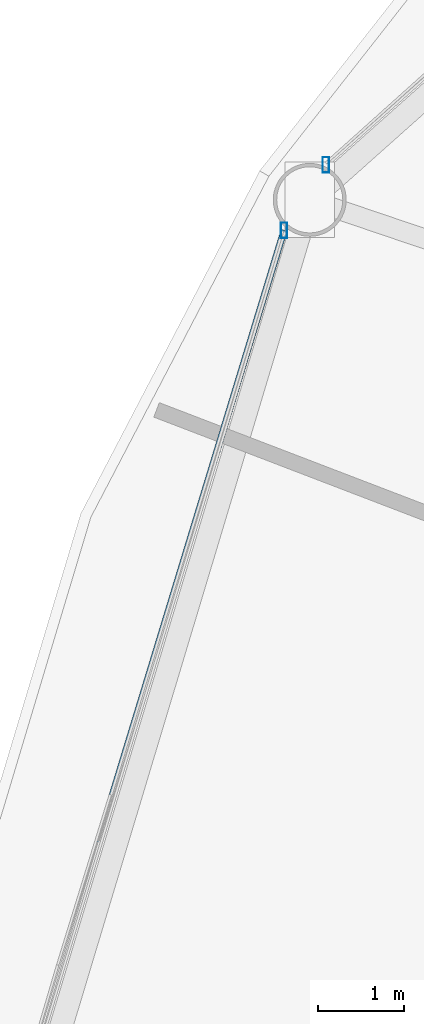
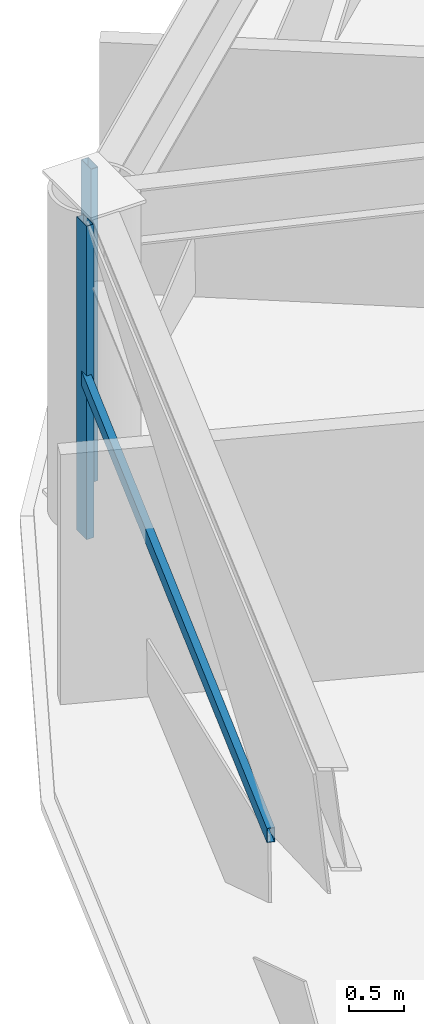
# One storey, part 13 of 33: 3 members, 2 elements without a shape of their own.
"""IFC4 building model written with IfcOpenShell, lengths in metres."""

from ifc_helpers import new_model, si_unit, direction, frame, origin, origin_2d, place, context, subcontext, project, spatial, hollow_rectangle, extrude, material, layer, layer_set, material_profile, profile_set, type_object, element, aggregate, save


model = new_model("IFC4")

# Units and contexts
model_context = context("Model", 3, precision=1e-05, world=origin(), true_north=direction((0.0, 1.0)))
body_context = subcontext(model_context, "Body", "Model", "MODEL_VIEW")
ifc_project = project(units=[si_unit("LENGTHUNIT", "METRE"), si_unit("AREAUNIT", "SQUARE_METRE"), si_unit("VOLUMEUNIT", "CUBIC_METRE"), si_unit("PLANEANGLEUNIT", "RADIAN"), si_unit("MASSUNIT", "GRAM", prefix="KILO")], contexts=[model_context])

# Site, building, storey
site_placement = place(None, origin())
site = spatial("IfcSite", under=ifc_project, at=site_placement, CompositionType="ELEMENT")
building_placement = place(site_placement, origin())
building = spatial("IfcBuilding", under=site, at=building_placement, Name="Vantalir Tower", CompositionType="ELEMENT")
storey_placement = place(building_placement, frame((0.0, 0.0, 68.25)))
storey = spatial("IfcBuildingStorey", under=building, at=storey_placement, Name="L16", CompositionType="ELEMENT", Elevation=68.25)

# Curtain wall, member
ifc_material_1 = material(Name="Champagne-silver PVDF aluminium and double-silver Low-E glass", Category="aluminium")
ifc_layer = layer(ifc_material_1, 0.18994140625)
ifc_layer_set = layer_set([ifc_layer], Name="Champagne-silver PVDF aluminium and double-silver Low-E glass")
curtain_wall_type = type_object("IfcCurtainWallType", Name="CW-DIAMOND-Z1", PredefinedType="USERDEFINED", material=ifc_layer_set)
curtain_wall_1_placement = place(storey_placement, origin())
curtain_wall_1 = element("IfcCurtainWall", 1, at=curtain_wall_1_placement, inside=storey, type_object=curtain_wall_type, Name="L16 Quilted Pyramid-Diamond Curtain Wall S05", ObjectType="UNITISED CURTAIN WALL", PredefinedType="USERDEFINED")
ifc_material_2 = material(Name="Champagne-silver PVDF aluminium 6063-T6", Category="aluminium")
ifc_material_profile_1 = material_profile(ifc_material_2, hollow_rectangle(XDim=0.074951171875, YDim=0.179931640625, WallThickness=0.00390625, at=origin_2d()), Name="Champagne-silver PVDF aluminium 6063-T6")
ifc_profile_set_1 = profile_set([ifc_material_profile_1], Name="Champagne-silver PVDF aluminium 6063-T6")
member_type_1 = type_object("IfcMemberType", Name="CWM-180x75", PredefinedType="MULLION", material=ifc_profile_set_1)
member_1_placement = place(storey_placement, frame((7.740966796875, 37.721923828125, 0.044921875), z_axis=(0.0, 0.0, 1.0), x_axis=(1.0, 0.0, 0.0)))
member_1 = element("IfcMember", 2, at=member_1_placement, type_object=member_type_1, Name="CW-L16-S05 Mullion 2", PredefinedType="MULLION", context=body_context, shape_type="SweptSolid", body=[
    extrude(hollow_rectangle(XDim=0.074951171875, YDim=0.179931640625, WallThickness=0.00390625, at=origin_2d()), origin(), (0.0, 0.0, 1.0), 3.47998046875),
])
aggregate(curtain_wall_1, [member_1])

# Curtain wall, members
curtain_wall_2_placement = place(storey_placement, origin())
curtain_wall_2 = element("IfcCurtainWall", 3, at=curtain_wall_2_placement, inside=storey, type_object=curtain_wall_type, Name="L16 Quilted Pyramid-Diamond Curtain Wall S06", ObjectType="UNITISED CURTAIN WALL", PredefinedType="USERDEFINED")
member_2_placement = place(storey_placement, frame((7.2548828125, 36.958984375, 0.044921875), z_axis=(0.0, 0.0, 1.0), x_axis=(1.0, 0.0, 0.0)))
member_2 = element("IfcMember", 4, at=member_2_placement, type_object=member_type_1, Name="CW-L16-S06 Mullion 1", PredefinedType="MULLION", context=body_context, shape_type="SweptSolid", body=[
    extrude(hollow_rectangle(XDim=0.074951171875, YDim=0.179931640625, WallThickness=0.00390625, at=origin_2d()), origin(), (0.0, 0.0, 1.0), 3.47998046875),
])
ifc_material_profile_2 = material_profile(ifc_material_2, hollow_rectangle(XDim=0.074951171875, YDim=0.159912109375, WallThickness=0.00390625, at=origin_2d()), Name="Champagne-silver PVDF aluminium 6063-T6")
ifc_profile_set_2 = profile_set([ifc_material_profile_2], Name="Champagne-silver PVDF aluminium 6063-T6")
member_type_2 = type_object("IfcMemberType", Name="CWT-160x75", PredefinedType="USERDEFINED", material=ifc_profile_set_2)
member_3_placement = place(storey_placement, frame((7.2548828125, 36.958984375, 1.784912109375), z_axis=(-0.290990868461, -0.956725830357, 0.0), x_axis=(0.956725830357, -0.290990868461, 0.0)))
member_3 = element("IfcMember", 5, at=member_3_placement, type_object=member_type_2, Name="CW-L16-S06 Pyramid Fold Ridge Transom", ObjectType="TRANSOM", PredefinedType="USERDEFINED", context=body_context, shape_type="SweptSolid", body=[
    extrude(hollow_rectangle(XDim=0.074951171875, YDim=0.159912109375, WallThickness=0.00390625, at=origin_2d()), origin(), (0.0, 0.0, 1.0), 7.45361328125),
])
aggregate(curtain_wall_2, [member_2, member_3])

save(model, "model.ifc")
